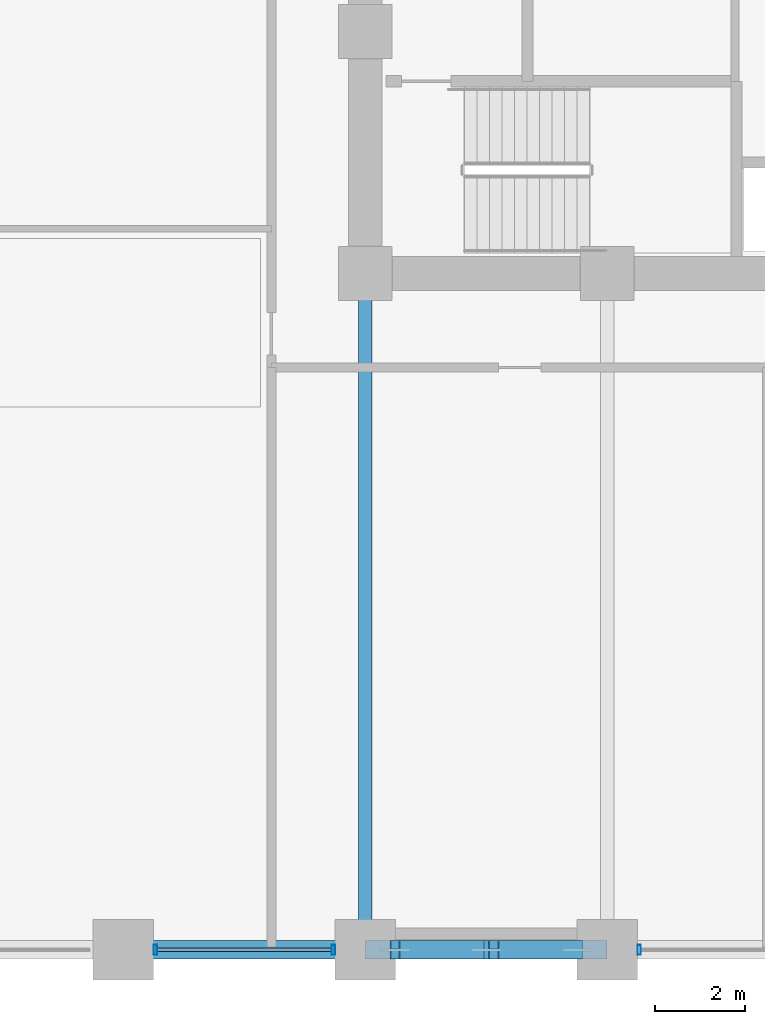
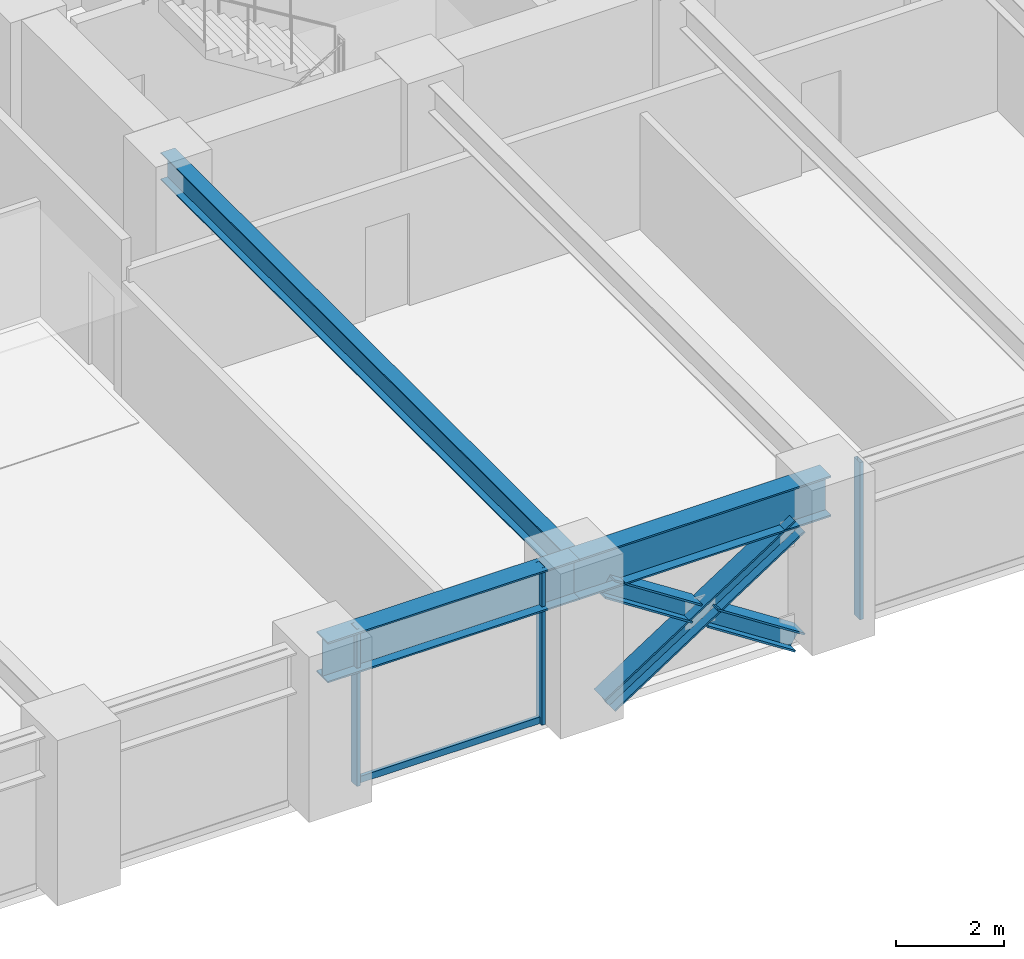
# One storey, part 4 of 25: 7 members, 3 beams, 2 elements without a shape of their own.
"""IFC4 building model written with IfcOpenShell, lengths in metres."""

from ifc_helpers import new_model, si_unit, direction, frame, origin, origin_2d, place, context, subcontext, project, spatial, hollow_rectangle, i_section, extrude, material, layer, layer_set, material_profile, profile_set, type_object, element, aggregate, save


model = new_model("IFC4")

# Units and contexts
model_context = context("Model", 3, precision=1e-05, world=origin(), true_north=direction((0.0, 1.0)))
body_context = subcontext(model_context, "Body", "Model", "MODEL_VIEW")
ifc_project = project(units=[si_unit("LENGTHUNIT", "METRE"), si_unit("AREAUNIT", "SQUARE_METRE"), si_unit("VOLUMEUNIT", "CUBIC_METRE"), si_unit("PLANEANGLEUNIT", "RADIAN"), si_unit("MASSUNIT", "GRAM", prefix="KILO")], contexts=[model_context])

# Site, building, storey
site_placement = place(None, origin())
site = spatial("IfcSite", under=ifc_project, at=site_placement, CompositionType="ELEMENT")
building_placement = place(site_placement, origin())
building = spatial("IfcBuilding", under=site, at=building_placement, Name="Surkhivell Harbour Commons", CompositionType="ELEMENT")
storey_placement = place(building_placement, frame((0.0, 0.0, 52.5)))
storey = spatial("IfcBuildingStorey", under=building, at=storey_placement, Name="L13", CompositionType="ELEMENT", Elevation=52.5)

# Beams
ifc_material_1 = material(Name="Steel S355", Category="steel")
ifc_material_profile_1 = material_profile(ifc_material_1, i_section(OverallWidth=0.306884765625, OverallDepth=0.6201171875, WebThickness=0.01416015625, FlangeThickness=0.023681640625, at=origin_2d()), Name="UB610x305x179")
ifc_profile_set_1 = profile_set([ifc_material_profile_1], Name="Steel S355")
beam_type_1 = type_object("IfcBeamType", Name="BM-GRD-610A", PredefinedType="BEAM", material=ifc_profile_set_1)
beam_1_placement = place(storey_placement, frame((-10.800048828125, -25.89990234375, 3.260009765625), z_axis=(0.0, 1.0, 0.0), x_axis=(-1.0, 0.0, 0.0)))
element("IfcBeam", 1, at=beam_1_placement, inside=storey, type_object=beam_type_1, Name="L13 Floor Girder (-10.8,-25.9)", PredefinedType="BEAM", context=body_context, shape_type="SweptSolid", body=[
    extrude(i_section(OverallWidth=0.306884765625, OverallDepth=0.6201171875, WebThickness=0.01416015625, FlangeThickness=0.023681640625, at=origin_2d()), origin(), (0.0, 0.0, 1.0), 15.099853515625),
])
ifc_material_2 = material(Name="Steel S460", Category="steel")
ifc_material_profile_2 = material_profile(ifc_material_2, i_section(OverallWidth=0.419921875, OverallDepth=0.9208984375, WebThickness=0.021484375, FlangeThickness=0.03662109375, at=origin_2d()), Name="UB914x419x388")
ifc_profile_set_2 = profile_set([ifc_material_profile_2], Name="Steel S460")
beam_type_2 = type_object("IfcBeamType", Name="BM-SPN-914A", PredefinedType="SPANDREL", material=ifc_profile_set_2)
beam_2_placement = place(storey_placement, frame((-16.199951171875, -25.89990234375, 3.109619140625), z_axis=(1.0, 0.0, 0.0), x_axis=(0.0, 1.0, 0.0)))
element("IfcBeam", 2, at=beam_2_placement, inside=storey, type_object=beam_type_2, Name="L13 Tube Spandrel (-16.2,-25.9)", PredefinedType="SPANDREL", context=body_context, shape_type="SweptSolid", body=[
    extrude(i_section(OverallWidth=0.419921875, OverallDepth=0.9208984375, WebThickness=0.021484375, FlangeThickness=0.03662109375, at=origin_2d()), origin(), (0.0, 0.0, 1.0), 5.39990234375),
])
beam_3_placement = place(storey_placement, frame((-10.800048828125, -25.89990234375, 3.109619140625), z_axis=(1.0, 0.0, 0.0), x_axis=(0.0, 1.0, 0.0)))
element("IfcBeam", 3, at=beam_3_placement, inside=storey, type_object=beam_type_2, Name="L13 Tube Spandrel (-10.8,-25.9)", PredefinedType="SPANDREL", context=body_context, shape_type="SweptSolid", body=[
    extrude(i_section(OverallWidth=0.419921875, OverallDepth=0.9208984375, WebThickness=0.021484375, FlangeThickness=0.03662109375, at=origin_2d()), origin(), (0.0, 0.0, 1.0), 5.400146484375),
])

# Curtain wall, members
ifc_material_3 = material(Name="Anodised pale-metal aluminium and insulated glazing", Category="aluminium")
ifc_layer = layer(ifc_material_3, 0.219970703125)
ifc_layer_set = layer_set([ifc_layer], Name="Anodised pale-metal aluminium and insulated glazing")
curtain_wall_type = type_object("IfcCurtainWallType", Name="CW-SYS-Z1", PredefinedType="NOTDEFINED", material=ifc_layer_set)
curtain_wall_1_placement = place(storey_placement, origin())
curtain_wall_1 = element("IfcCurtainWall", 4, at=curtain_wall_1_placement, inside=storey, type_object=curtain_wall_type, Name="L13 Curtain Wall CW-L13-E00S1", PredefinedType="NOTDEFINED")
ifc_material_4 = material(Name="Anodised pale-metal aluminium alloy 6063-T6", Category="aluminium")
ifc_material_profile_3 = material_profile(ifc_material_4, hollow_rectangle(XDim=0.074951171875, YDim=0.219970703125, WallThickness=0.00390625, at=origin_2d()), Name="ALU-MULL-75x220")
ifc_profile_set_3 = profile_set([ifc_material_profile_3], Name="Anodised pale-metal aluminium alloy 6063-T6")
member_type_1 = type_object("IfcMemberType", Name="CWM-220", PredefinedType="MULLION", material=ifc_profile_set_3)
member_1_placement = place(storey_placement, frame((-15.485595703125, -25.89990234375, 0.0), z_axis=(0.0, 0.0, 1.0), x_axis=(1.0, 0.0, 0.0)))
member_1 = element("IfcMember", 5, at=member_1_placement, type_object=member_type_1, Name="CW-Z1 mullion 3", PredefinedType="MULLION", context=body_context, shape_type="SweptSolid", body=[
    extrude(hollow_rectangle(XDim=0.074951171875, YDim=0.219970703125, WallThickness=0.00390625, at=origin_2d()), origin(), (0.0, 0.0, 1.0), 3.570068359375),
])
member_2_placement = place(storey_placement, frame((-11.514404296875, -25.89990234375, 0.0), z_axis=(0.0, 0.0, 1.0), x_axis=(1.0, 0.0, 0.0)))
member_2 = element("IfcMember", 6, at=member_2_placement, type_object=member_type_1, Name="CW-Z1 mullion 4", PredefinedType="MULLION", context=body_context, shape_type="SweptSolid", body=[
    extrude(hollow_rectangle(XDim=0.074951171875, YDim=0.219970703125, WallThickness=0.00390625, at=origin_2d()), origin(), (0.0, 0.0, 1.0), 3.570068359375),
])

# Curtain wall, member
curtain_wall_2_placement = place(storey_placement, origin())
curtain_wall_2 = element("IfcCurtainWall", 7, at=curtain_wall_2_placement, inside=storey, type_object=curtain_wall_type, Name="L13 Curtain Wall CW-L13-E00S2", PredefinedType="NOTDEFINED")
member_3_placement = place(storey_placement, frame((-4.685546875, -25.89990234375, 0.0), z_axis=(0.0, 0.0, 1.0), x_axis=(1.0, 0.0, 0.0)))
member_3 = element("IfcMember", 8, at=member_3_placement, type_object=member_type_1, Name="CW-Z1 mullion 1", PredefinedType="MULLION", context=body_context, shape_type="SweptSolid", body=[
    extrude(hollow_rectangle(XDim=0.074951171875, YDim=0.219970703125, WallThickness=0.00390625, at=origin_2d()), origin(), (0.0, 0.0, 1.0), 3.570068359375),
])
aggregate(curtain_wall_2, [member_3])

# Member
ifc_material_profile_4 = material_profile(ifc_material_4, hollow_rectangle(XDim=0.074951171875, YDim=0.14990234375, WallThickness=0.00341796875, at=origin_2d()), Name="ALU-TRAN-75x150")
ifc_profile_set_4 = profile_set([ifc_material_profile_4], Name="Anodised pale-metal aluminium alloy 6063-T6")
member_type_2 = type_object("IfcMemberType", Name="CWT-150", PredefinedType="USERDEFINED", material=ifc_profile_set_4)
member_4_placement = place(storey_placement, frame((-15.447998046875, -25.89990234375, 0.074951171875), z_axis=(1.0, 0.0, 0.0), x_axis=(0.0, 1.0, 0.0)))
member_4 = element("IfcMember", 9, at=member_4_placement, type_object=member_type_2, Name="CW-Z1 transom 3.1", ObjectType="TRANSOM", PredefinedType="USERDEFINED", context=body_context, shape_type="SweptSolid", body=[
    extrude(hollow_rectangle(XDim=0.074951171875, YDim=0.14990234375, WallThickness=0.00341796875, at=origin_2d()), origin(), (0.0, 0.0, 1.0), 3.89599609375),
])

aggregate(curtain_wall_1, [member_1, member_2, member_4])

# Members
ifc_material_profile_5 = material_profile(ifc_material_2, i_section(OverallWidth=0.406005859375, OverallDepth=0.416015625, WebThickness=0.026611328125, FlangeThickness=0.0390625, at=origin_2d()), Name="HD400x382")
ifc_profile_set_5 = profile_set([ifc_material_profile_5], Name="Steel S460")
member_type_3 = type_object("IfcMemberType", Name="MEM-BRC-HD382", PredefinedType="BRACE", material=ifc_profile_set_5)
member_5_placement = place(storey_placement, frame((-10.139892578125, -25.89990234375, 0.008056640625), z_axis=(0.839088897369, 0.0, 0.543994321949), x_axis=(0.0, 1.0, 0.0)))
element("IfcMember", 10, at=member_5_placement, inside=storey, type_object=member_type_3, Name="L13 Perimeter Mega-Brace MB- 07", PredefinedType="BRACE", context=body_context, shape_type="SweptSolid", body=[
    extrude(i_section(OverallWidth=0.406005859375, OverallDepth=0.416015625, WebThickness=0.026611328125, FlangeThickness=0.0390625, at=origin_2d()), origin(), (0.0, 0.0, 1.0), 4.8623046875),
])
for number, where, z_axis, x_axis, name in (
    (11, (-6.06005859375, -25.89990234375, 0.008056640625), (-0.83908547242, 0.0, 0.543999604756), (0.0, -1.0, 0.0), "L13 Perimeter Mega-Brace MB- 08"),
    (12, (-8.267578125, -25.89990234375, 1.439208984375), (-0.83908547242, 0.0, 0.543999604756), (0.0, -1.0, 0.0), "L13 Perimeter Mega-Brace MB- 09"),
):
    element("IfcMember", number, at=place(storey_placement, frame(where, z_axis=z_axis, x_axis=x_axis)), inside=storey, type_object=member_type_3, Name=name, PredefinedType="BRACE", context=body_context, shape_type="SweptSolid", body=[
        extrude(i_section(OverallWidth=0.406005859375, OverallDepth=0.416015625, WebThickness=0.026611328125, FlangeThickness=0.0390625, at=origin_2d()), origin(), (0.0, 0.0, 1.0), 2.2314453125),
    ])

save(model, "model.ifc")
